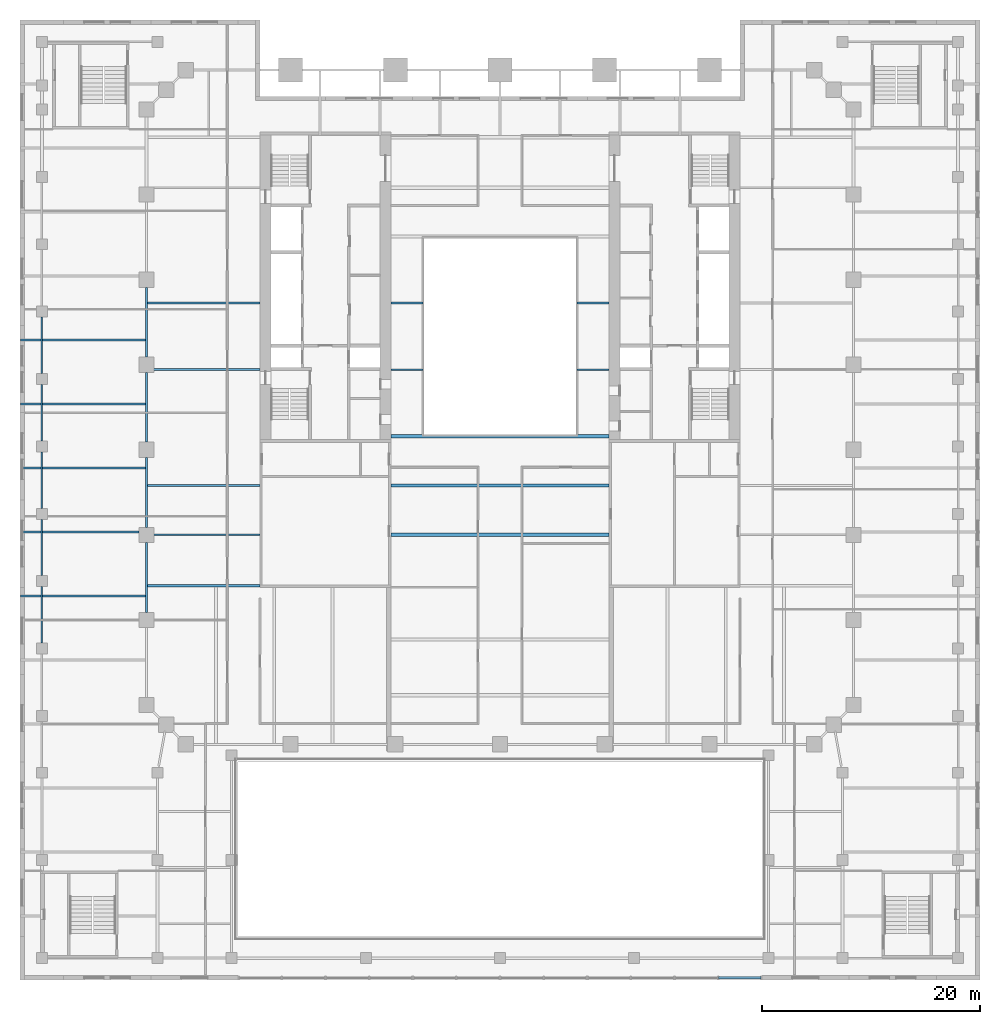
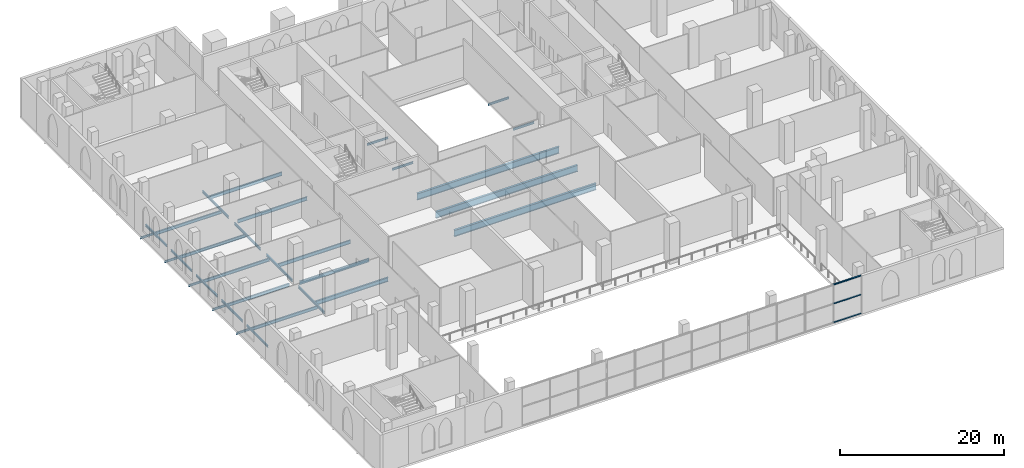
# One storey, part 4 of 21: 31 beams, 3 members, 1 element without a shape of its own.
"""IFC4 building model written with IfcOpenShell, lengths in metres."""

from ifc_helpers import new_model, si_unit, direction, frame, origin, origin_2d, place, context, subcontext, project, spatial, rectangle, i_section, extrude, material, material_profile, profile_set, type_object, element, aggregate, save


model = new_model("IFC4")

# Units and contexts
model_context = context("Model", 3, precision=1e-05, world=origin(), true_north=direction((0.0, 1.0)))
body_context = subcontext(model_context, "Body", "Model", "MODEL_VIEW")
ifc_project = project(units=[si_unit("LENGTHUNIT", "METRE"), si_unit("AREAUNIT", "SQUARE_METRE"), si_unit("VOLUMEUNIT", "CUBIC_METRE"), si_unit("PLANEANGLEUNIT", "RADIAN"), si_unit("MASSUNIT", "GRAM", prefix="KILO")], contexts=[model_context])

# Site, building, storey
site_placement = place(None, origin())
site = spatial("IfcSite", under=ifc_project, at=site_placement, CompositionType="ELEMENT")
building_placement = place(site_placement, origin())
building = spatial("IfcBuilding", under=site, at=building_placement, Name="Ogive Exchange Tower", CompositionType="ELEMENT")
storey_placement = place(building_placement, frame((0.0, 0.0, 8.0)))
storey = spatial("IfcBuildingStorey", under=building, at=storey_placement, Name="L01", CompositionType="ELEMENT", Elevation=8.0)

# Beams
ifc_material_1 = material(Name="Steel ASTM A992 Gr50", Category="steel")
ifc_material_profile_1 = material_profile(ifc_material_1, i_section(OverallWidth=0.300048828125, OverallDepth=0.969970703125, WebThickness=0.01611328125, FlangeThickness=0.02099609375, at=origin_2d()), Name="W1000x222")
ifc_profile_set_1 = profile_set([ifc_material_profile_1], Name="Steel ASTM A992 Gr50")
beam_type_1 = type_object("IfcBeamType", Name="Floor beam W1000x222", PredefinedType="JOIST", material=ifc_profile_set_1)
for number, where, z_axis, x_axis, name in (
    (1, (-10.0, -11.17822265625, -0.784912109375), (1.0, 0.0, 0.0), (0.0, 1.0, 0.0), "Floor beam"),
    (2, (-10.0, -6.666748046875, -0.784912109375), (1.0, 0.0, 0.0), (0.0, 1.0, 0.0), "Floor beam"),
):
    element("IfcBeam", number, at=place(storey_placement, frame(where, z_axis=z_axis, x_axis=x_axis)), inside=storey, type_object=beam_type_1, Name=name, PredefinedType="JOIST", context=body_context, shape_type="SweptSolid", body=[
        extrude(i_section(OverallWidth=0.300048828125, OverallDepth=0.969970703125, WebThickness=0.01611328125, FlangeThickness=0.02099609375, at=origin_2d()), origin(), (0.0, 0.0, 1.0), 20.0),
    ])
ifc_material_profile_2 = material_profile(ifc_material_1, i_section(OverallWidth=0.1650390625, OverallDepth=0.31005859375, WebThickness=0.005859375, FlangeThickness=0.009765625, at=origin_2d()), Name="W310x38.7")
ifc_profile_set_2 = profile_set([ifc_material_profile_2], Name="Steel ASTM A992 Gr50")
beam_type_2 = type_object("IfcBeamType", Name="Floor beam W310x38.7", PredefinedType="JOIST", material=ifc_profile_set_2)
for number, where, z_axis, x_axis, name in (
    (3, (-10.0, 3.9482421875, -0.455078125), (1.0, 0.0, 0.0), (0.0, 1.0, 0.0), "Floor beam"),
    (4, (7.050048828125, 3.9482421875, -0.455078125), (1.0, 0.0, 0.0), (0.0, 1.0, 0.0), "Floor beam"),
    (5, (-10.0, 10.0517578125, -0.455078125), (1.0, 0.0, 0.0), (0.0, 1.0, 0.0), "Floor beam"),
    (6, (7.050048828125, 10.0517578125, -0.455078125), (1.0, 0.0, 0.0), (0.0, 1.0, 0.0), "Floor beam"),
):
    element("IfcBeam", number, at=place(storey_placement, frame(where, z_axis=z_axis, x_axis=x_axis)), inside=storey, type_object=beam_type_2, Name=name, PredefinedType="JOIST", context=body_context, shape_type="SweptSolid", body=[
        extrude(i_section(OverallWidth=0.1650390625, OverallDepth=0.31005859375, WebThickness=0.005859375, FlangeThickness=0.009765625, at=origin_2d()), origin(), (0.0, 0.0, 1.0), 2.949951171875),
    ])
for number, where, z_axis, x_axis, name in (
    (7, (-43.949951171875, -16.800048828125, -0.455078125), (1.0, 0.0, 0.0), (0.0, 1.0, 0.0), "Floor beam"),
    (8, (-43.949951171875, -10.933349609375, -0.455078125), (1.0, 0.0, 0.0), (0.0, 1.0, 0.0), "Floor beam"),
    (9, (-43.949951171875, -5.066650390625, -0.455078125), (1.0, 0.0, 0.0), (0.0, 1.0, 0.0), "Floor beam"),
    (10, (-43.949951171875, 0.800048828125, -0.455078125), (1.0, 0.0, 0.0), (0.0, 1.0, 0.0), "Floor beam"),
    (11, (-43.949951171875, 6.666748046875, -0.455078125), (1.0, 0.0, 0.0), (0.0, 1.0, 0.0), "Floor beam"),
):
    element("IfcBeam", number, at=place(storey_placement, frame(where, z_axis=z_axis, x_axis=x_axis)), inside=storey, type_object=beam_type_2, Name=name, PredefinedType="JOIST", context=body_context, shape_type="SweptSolid", body=[
        extrude(i_section(OverallWidth=0.1650390625, OverallDepth=0.31005859375, WebThickness=0.005859375, FlangeThickness=0.009765625, at=origin_2d()), origin(), (0.0, 0.0, 1.0), 1.867431640625),
    ])
ifc_material_profile_3 = material_profile(ifc_material_1, i_section(OverallWidth=0.19091796875, OverallDepth=0.45703125, WebThickness=0.009033203125, FlangeThickness=0.014404296875, at=origin_2d()), Name="W460x74")
ifc_profile_set_3 = profile_set([ifc_material_profile_3], Name="Steel ASTM A992 Gr50")
beam_type_3 = type_object("IfcBeamType", Name="Floor beam W460x74", PredefinedType="JOIST", material=ifc_profile_set_3)
beam_1_placement = place(storey_placement, frame((-41.91748046875, -16.800048828125, -0.528564453125), z_axis=(1.0, 0.0, 0.0), x_axis=(0.0, 1.0, 0.0)))
element("IfcBeam", 12, at=beam_1_placement, inside=storey, type_object=beam_type_3, Name="Floor beam", PredefinedType="JOIST", context=body_context, shape_type="SweptSolid", body=[
    extrude(i_section(OverallWidth=0.19091796875, OverallDepth=0.45703125, WebThickness=0.009033203125, FlangeThickness=0.014404296875, at=origin_2d()), origin(), (0.0, 0.0, 1.0), 9.431884765625),
])
beam_2_placement = place(storey_placement, frame((-41.91748046875, -10.933349609375, -0.528564453125), z_axis=(1.0, 0.0, 0.0), x_axis=(0.0, 1.0, 0.0)))
element("IfcBeam", 13, at=beam_2_placement, inside=storey, type_object=beam_type_3, Name="Floor beam", PredefinedType="JOIST", context=body_context, shape_type="SweptSolid", body=[
    extrude(i_section(OverallWidth=0.19091796875, OverallDepth=0.45703125, WebThickness=0.009033203125, FlangeThickness=0.014404296875, at=origin_2d()), origin(), (0.0, 0.0, 1.0), 8.8173828125),
])
for number, where, z_axis, x_axis, name in (
    (14, (-41.91748046875, -5.066650390625, -0.528564453125), (1.0, 0.0, 0.0), (0.0, 1.0, 0.0), "Floor beam"),
    (15, (-41.91748046875, 0.800048828125, -0.528564453125), (1.0, 0.0, 0.0), (0.0, 1.0, 0.0), "Floor beam"),
    (16, (-41.91748046875, 6.666748046875, -0.528564453125), (1.0, 0.0, 0.0), (0.0, 1.0, 0.0), "Floor beam"),
):
    element("IfcBeam", number, at=place(storey_placement, frame(where, z_axis=z_axis, x_axis=x_axis)), inside=storey, type_object=beam_type_3, Name=name, PredefinedType="JOIST", context=body_context, shape_type="SweptSolid", body=[
        extrude(i_section(OverallWidth=0.19091796875, OverallDepth=0.45703125, WebThickness=0.009033203125, FlangeThickness=0.014404296875, at=origin_2d()), origin(), (0.0, 0.0, 1.0), 9.431884765625),
    ])
ifc_material_profile_4 = material_profile(ifc_material_1, i_section(OverallWidth=0.1669921875, OverallDepth=0.535888671875, WebThickness=0.01025390625, FlangeThickness=0.0166015625, at=origin_2d()), Name="W530x85")
ifc_profile_set_4 = profile_set([ifc_material_profile_4], Name="Steel ASTM A992 Gr50")
beam_type_4 = type_object("IfcBeamType", Name="Floor beam W530x85", PredefinedType="JOIST", material=ifc_profile_set_4)
beam_3_placement = place(storey_placement, frame((-31.800048828125, -11.17822265625, -0.568115234375), z_axis=(1.0, 0.0, 0.0), x_axis=(0.0, 1.0, 0.0)))
element("IfcBeam", 17, at=beam_3_placement, inside=storey, type_object=beam_type_4, Name="Floor beam", PredefinedType="JOIST", context=body_context, shape_type="SweptSolid", body=[
    extrude(i_section(OverallWidth=0.1669921875, OverallDepth=0.535888671875, WebThickness=0.01025390625, FlangeThickness=0.0166015625, at=origin_2d()), origin(), (0.0, 0.0, 1.0), 9.800048828125),
])
beam_4_placement = place(storey_placement, frame((-32.344970703125, -6.666748046875, -0.568115234375), z_axis=(1.0, 0.0, 0.0), x_axis=(0.0, 1.0, 0.0)))
element("IfcBeam", 18, at=beam_4_placement, inside=storey, type_object=beam_type_4, Name="Floor beam", PredefinedType="JOIST", context=body_context, shape_type="SweptSolid", body=[
    extrude(i_section(OverallWidth=0.1669921875, OverallDepth=0.535888671875, WebThickness=0.01025390625, FlangeThickness=0.0166015625, at=origin_2d()), origin(), (0.0, 0.0, 1.0), 10.344970703125),
])
beam_5_placement = place(storey_placement, frame((-31.800048828125, 3.9482421875, -0.568115234375), z_axis=(1.0, 0.0, 0.0), x_axis=(0.0, 1.0, 0.0)))
element("IfcBeam", 19, at=beam_5_placement, inside=storey, type_object=beam_type_4, Name="Floor beam", PredefinedType="JOIST", context=body_context, shape_type="SweptSolid", body=[
    extrude(i_section(OverallWidth=0.1669921875, OverallDepth=0.535888671875, WebThickness=0.01025390625, FlangeThickness=0.0166015625, at=origin_2d()), origin(), (0.0, 0.0, 1.0), 9.800048828125),
])
beam_6_placement = place(storey_placement, frame((-32.344970703125, 10.0517578125, -0.568115234375), z_axis=(1.0, 0.0, 0.0), x_axis=(0.0, 1.0, 0.0)))
element("IfcBeam", 20, at=beam_6_placement, inside=storey, type_object=beam_type_4, Name="Floor beam", PredefinedType="JOIST", context=body_context, shape_type="SweptSolid", body=[
    extrude(i_section(OverallWidth=0.1669921875, OverallDepth=0.535888671875, WebThickness=0.01025390625, FlangeThickness=0.0166015625, at=origin_2d()), origin(), (0.0, 0.0, 1.0), 10.344970703125),
])

# Curtain wall, members
ifc_material_2 = material(Name="Anodised aluminium and clear glass", Category="aluminium")
curtain_wall_type = type_object("IfcCurtainWallType", Name="Galleria end wall glazing", PredefinedType="NOTDEFINED", material=ifc_material_2)
curtain_wall_placement = place(storey_placement, origin())
curtain_wall = element("IfcCurtainWall", 21, at=curtain_wall_placement, inside=storey, type_object=curtain_wall_type, Name="Galleria end wall glazing run GE9", PredefinedType="NOTDEFINED")
ifc_material_3 = material(Name="Anodised aluminium", Category="aluminium")
ifc_material_profile_5 = material_profile(ifc_material_3, rectangle(XDim=0.219970703125, YDim=0.080078125, at=origin_2d()), Name="AL 80x220")
ifc_profile_set_5 = profile_set([ifc_material_profile_5], Name="Anodised aluminium")
member_type = type_object("IfcMemberType", Name="Galleria end wall glazing transom 80 x 220", PredefinedType="USERDEFINED", material=ifc_profile_set_5)
member_1_placement = place(storey_placement, frame((20.0400390625, -51.800048828125, 0.0400390625), z_axis=(1.0, 0.0, 0.0), x_axis=(0.0, 1.0, 0.0)))
member_1 = element("IfcMember", 22, at=member_1_placement, type_object=member_type, Name="GE9 transom 2.1", ObjectType="TRANSOM", PredefinedType="USERDEFINED", context=body_context, shape_type="SweptSolid", body=[
    extrude(rectangle(XDim=0.219970703125, YDim=0.080078125, at=origin_2d()), origin(), (0.0, 0.0, 1.0), 3.8798828125),
])
member_2_placement = place(storey_placement, frame((20.0400390625, -51.800048828125, 2.85009765625), z_axis=(1.0, 0.0, 0.0), x_axis=(0.0, 1.0, 0.0)))
member_2 = element("IfcMember", 23, at=member_2_placement, type_object=member_type, Name="GE9 transom 2.2", ObjectType="TRANSOM", PredefinedType="USERDEFINED", context=body_context, shape_type="SweptSolid", body=[
    extrude(rectangle(XDim=0.219970703125, YDim=0.080078125, at=origin_2d()), origin(), (0.0, 0.0, 1.0), 3.8798828125),
])
member_3_placement = place(storey_placement, frame((20.0400390625, -51.800048828125, 5.659912109375), z_axis=(1.0, 0.0, 0.0), x_axis=(0.0, 1.0, 0.0)))
member_3 = element("IfcMember", 24, at=member_3_placement, type_object=member_type, Name="GE9 transom 2.3", ObjectType="TRANSOM", PredefinedType="USERDEFINED", context=body_context, shape_type="SweptSolid", body=[
    extrude(rectangle(XDim=0.219970703125, YDim=0.080078125, at=origin_2d()), origin(), (0.0, 0.0, 1.0), 3.8798828125),
])
aggregate(curtain_wall, [member_1, member_2, member_3])

# Beams
ifc_material_profile_6 = material_profile(ifc_material_1, i_section(OverallWidth=0.300048828125, OverallDepth=0.97998046875, WebThickness=0.0166015625, FlangeThickness=0.026123046875, at=origin_2d()), Name="W1000x249")
ifc_profile_set_6 = profile_set([ifc_material_profile_6], Name="Steel ASTM A992 Gr50")
beam_type_5 = type_object("IfcBeamType", Name="Girder W1000x249", PredefinedType="BEAM", material=ifc_profile_set_6)
beam_7_placement = place(storey_placement, frame((-10.0, -2.155029296875, -0.7900390625), z_axis=(1.0, 0.0, 0.0), x_axis=(0.0, 1.0, 0.0)))
element("IfcBeam", 25, at=beam_7_placement, inside=storey, type_object=beam_type_5, Name="Trimmer girder", PredefinedType="BEAM", context=body_context, shape_type="SweptSolid", body=[
    extrude(i_section(OverallWidth=0.300048828125, OverallDepth=0.97998046875, WebThickness=0.0166015625, FlangeThickness=0.026123046875, at=origin_2d()), origin(), (0.0, 0.0, 1.0), 20.0),
])
ifc_material_profile_7 = material_profile(ifc_material_1, i_section(OverallWidth=0.1650390625, OverallDepth=0.31005859375, WebThickness=0.005859375, FlangeThickness=0.009765625, at=origin_2d()), Name="W310x38.7")
ifc_profile_set_7 = profile_set([ifc_material_profile_7], Name="Steel ASTM A992 Gr50")
beam_type_6 = type_object("IfcBeamType", Name="Girder W310x38.7", PredefinedType="BEAM", material=ifc_profile_set_7)
beam_8_placement = place(storey_placement, frame((-42.0, -21.1201171875, -0.455078125), z_axis=(0.0, 1.0, 0.0), x_axis=(-1.0, 0.0, 0.0)))
element("IfcBeam", 26, at=beam_8_placement, inside=storey, type_object=beam_type_6, Name="Girder", PredefinedType="BEAM", context=body_context, shape_type="SweptSolid", body=[
    extrude(i_section(OverallWidth=0.1650390625, OverallDepth=0.31005859375, WebThickness=0.005859375, FlangeThickness=0.009765625, at=origin_2d()), origin(), (0.0, 0.0, 1.0), 5.18017578125),
])
beam_9_placement = place(storey_placement, frame((-42.0, -14.93994140625, -0.455078125), z_axis=(0.0, 1.0, 0.0), x_axis=(-1.0, 0.0, 0.0)))
element("IfcBeam", 27, at=beam_9_placement, inside=storey, type_object=beam_type_6, Name="Girder", PredefinedType="BEAM", context=body_context, shape_type="SweptSolid", body=[
    extrude(i_section(OverallWidth=0.1650390625, OverallDepth=0.31005859375, WebThickness=0.005859375, FlangeThickness=0.009765625, at=origin_2d()), origin(), (0.0, 0.0, 1.0), 5.169921875),
])
beam_10_placement = place(storey_placement, frame((-42.0, -8.77001953125, -0.455078125), z_axis=(0.0, 1.0, 0.0), x_axis=(-1.0, 0.0, 0.0)))
element("IfcBeam", 28, at=beam_10_placement, inside=storey, type_object=beam_type_6, Name="Girder", PredefinedType="BEAM", context=body_context, shape_type="SweptSolid", body=[
    extrude(i_section(OverallWidth=0.1650390625, OverallDepth=0.31005859375, WebThickness=0.005859375, FlangeThickness=0.009765625, at=origin_2d()), origin(), (0.0, 0.0, 1.0), 5.179931640625),
])
beam_11_placement = place(storey_placement, frame((-42.0, -2.590087890625, -0.455078125), z_axis=(0.0, 1.0, 0.0), x_axis=(-1.0, 0.0, 0.0)))
element("IfcBeam", 29, at=beam_11_placement, inside=storey, type_object=beam_type_6, Name="Girder", PredefinedType="BEAM", context=body_context, shape_type="SweptSolid", body=[
    extrude(i_section(OverallWidth=0.1650390625, OverallDepth=0.31005859375, WebThickness=0.005859375, FlangeThickness=0.009765625, at=origin_2d()), origin(), (0.0, 0.0, 1.0), 5.18017578125),
])
beam_12_placement = place(storey_placement, frame((-42.0, 3.590087890625, -0.455078125), z_axis=(0.0, 1.0, 0.0), x_axis=(-1.0, 0.0, 0.0)))
element("IfcBeam", 30, at=beam_12_placement, inside=storey, type_object=beam_type_6, Name="Girder", PredefinedType="BEAM", context=body_context, shape_type="SweptSolid", body=[
    extrude(i_section(OverallWidth=0.1650390625, OverallDepth=0.31005859375, WebThickness=0.005859375, FlangeThickness=0.009765625, at=origin_2d()), origin(), (0.0, 0.0, 1.0), 5.179931640625),
])
ifc_material_profile_8 = material_profile(ifc_material_1, i_section(OverallWidth=0.1708984375, OverallDepth=0.35595703125, WebThickness=0.00732421875, FlangeThickness=0.01171875, at=origin_2d()), Name="W360x51")
ifc_profile_set_8 = profile_set([ifc_material_profile_8], Name="Steel ASTM A992 Gr50")
beam_type_7 = type_object("IfcBeamType", Name="Girder W360x51", PredefinedType="BEAM", material=ifc_profile_set_8)
for number, where, z_axis, x_axis, name in (
    (31, (-32.39990234375, 11.5, -0.47802734375), (0.0, -1.0, 0.0), (1.0, 0.0, 0.0), "Girder"),
    (32, (-32.39990234375, 3.699951171875, -0.47802734375), (0.0, -1.0, 0.0), (1.0, 0.0, 0.0), "Girder"),
    (33, (-32.39990234375, -4.10009765625, -0.47802734375), (0.0, -1.0, 0.0), (1.0, 0.0, 0.0), "Girder"),
):
    element("IfcBeam", number, at=place(storey_placement, frame(where, z_axis=z_axis, x_axis=x_axis)), inside=storey, type_object=beam_type_7, Name=name, PredefinedType="BEAM", context=body_context, shape_type="SweptSolid", body=[
        extrude(i_section(OverallWidth=0.1708984375, OverallDepth=0.35595703125, WebThickness=0.00732421875, FlangeThickness=0.01171875, at=origin_2d()), origin(), (0.0, 0.0, 1.0), 6.39990234375),
    ])
beam_13_placement = place(storey_placement, frame((-32.39990234375, -11.89990234375, -0.47802734375), z_axis=(0.0, -1.0, 0.0), x_axis=(1.0, 0.0, 0.0)))
element("IfcBeam", 34, at=beam_13_placement, inside=storey, type_object=beam_type_7, Name="Girder", PredefinedType="BEAM", context=body_context, shape_type="SweptSolid", body=[
    extrude(i_section(OverallWidth=0.1708984375, OverallDepth=0.35595703125, WebThickness=0.00732421875, FlangeThickness=0.01171875, at=origin_2d()), origin(), (0.0, 0.0, 1.0), 6.400146484375),
])
ifc_material_profile_9 = material_profile(ifc_material_1, i_section(OverallWidth=0.22802734375, OverallDepth=0.60205078125, WebThickness=0.010498046875, FlangeThickness=0.014892578125, at=origin_2d()), Name="W610x101")
ifc_profile_set_9 = profile_set([ifc_material_profile_9], Name="Steel ASTM A992 Gr50")
beam_type_8 = type_object("IfcBeamType", Name="Girder W610x101", PredefinedType="BEAM", material=ifc_profile_set_9)
beam_14_placement = place(storey_placement, frame((-22.0, -15.844970703125, -0.60107421875), z_axis=(-1.0, 0.0, 0.0), x_axis=(0.0, -1.0, 0.0)))
element("IfcBeam", 35, at=beam_14_placement, inside=storey, type_object=beam_type_8, Name="Header girder", PredefinedType="BEAM", context=body_context, shape_type="SweptSolid", body=[
    extrude(i_section(OverallWidth=0.22802734375, OverallDepth=0.60205078125, WebThickness=0.010498046875, FlangeThickness=0.014892578125, at=origin_2d()), origin(), (0.0, 0.0, 1.0), 10.344970703125),
])

save(model, "model.ifc")
